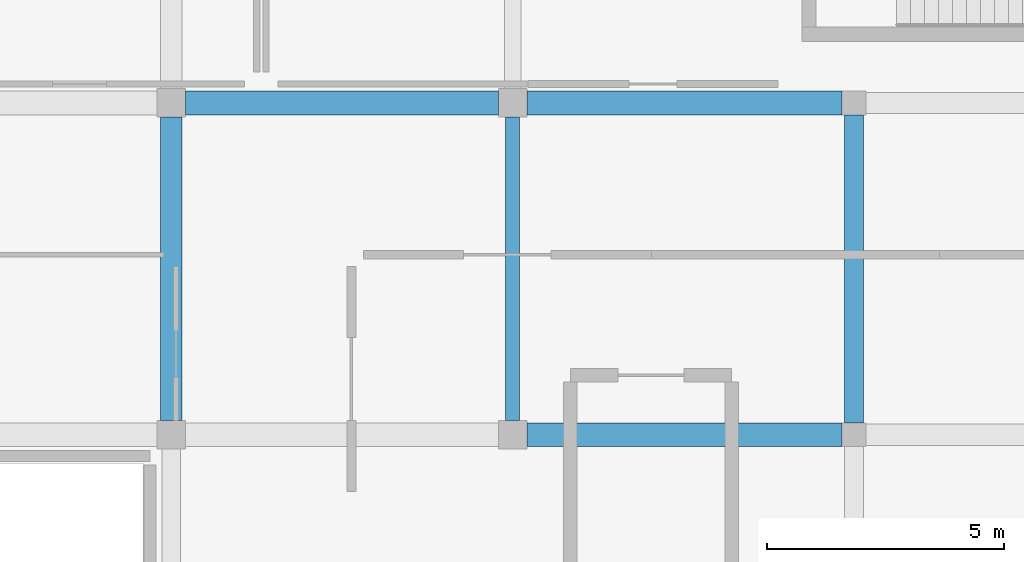
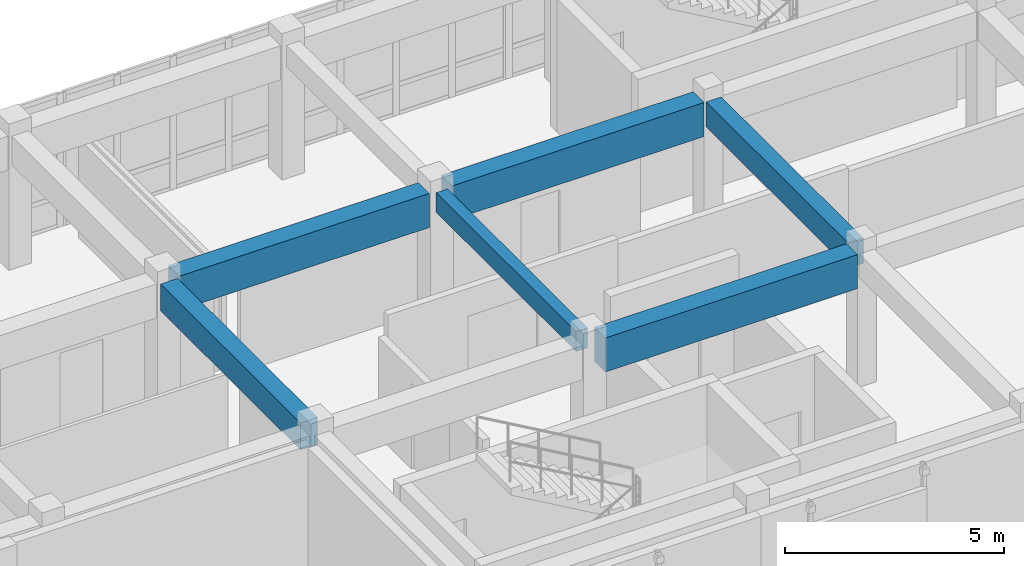
# One storey, part 19 of 91: 6 beams.
"""IFC4 building model written with IfcOpenShell, lengths in metres."""

from ifc_helpers import new_model, si_unit, direction, frame, origin, origin_2d, place, context, subcontext, project, spatial, rectangle, extrude, material, material_profile, profile_set, type_object, element, save


model = new_model("IFC4")

# Units and contexts
model_context = context("Model", 3, precision=1e-05, world=origin(), true_north=direction((0.0, 1.0)))
body_context = subcontext(model_context, "Body", "Model", "MODEL_VIEW")
ifc_project = project(units=[si_unit("LENGTHUNIT", "METRE"), si_unit("AREAUNIT", "SQUARE_METRE"), si_unit("VOLUMEUNIT", "CUBIC_METRE"), si_unit("PLANEANGLEUNIT", "RADIAN"), si_unit("MASSUNIT", "GRAM", prefix="KILO")], contexts=[model_context])

# Site, building, storey
site_placement = place(None, origin())
site = spatial("IfcSite", under=ifc_project, at=site_placement, CompositionType="ELEMENT")
building_placement = place(site_placement, origin())
building = spatial("IfcBuilding", under=site, at=building_placement, Name="Valcora Specialist Clinic", CompositionType="ELEMENT")
storey_placement = place(building_placement, frame((0.0, 0.0, 13.60009765625)))
storey = spatial("IfcBuildingStorey", under=building, at=storey_placement, Name="L03", CompositionType="ELEMENT", Elevation=13.60009765625)

# Beams
ifc_material = material(Name="Concrete C40/50", Category="concrete")
ifc_material_profile_1 = material_profile(ifc_material, rectangle(XDim=0.300048828125, YDim=0.550048828125, at=origin_2d()), Name="RC-BM-300X550")
ifc_profile_set_1 = profile_set([ifc_material_profile_1], Name="Concrete C40/50")
beam_type_1 = type_object("IfcBeamType", Name="TY-BM-RC300X550", PredefinedType="BEAM", material=ifc_profile_set_1)
beam_1_placement = place(storey_placement, frame((23.39990234375, 8.5, 3.44482421875), z_axis=(0.0, 1.0, 0.0), x_axis=(-1.0, 0.0, 0.0)))
element("IfcBeam", 1, at=beam_1_placement, inside=storey, type_object=beam_type_1, Name="Beam BM-L03-1061", PredefinedType="BEAM", context=body_context, shape_type="SweptSolid", body=[
    extrude(rectangle(XDim=0.300048828125, YDim=0.550048828125, at=origin_2d()), origin(), (0.0, 0.0, 1.0), 6.39990234375),
])
ifc_material_profile_2 = material_profile(ifc_material, rectangle(XDim=0.39990234375, YDim=0.699951171875, at=origin_2d()), Name="RC-BM-400X700")
ifc_profile_set_2 = profile_set([ifc_material_profile_2], Name="Concrete C40/50")
beam_type_2 = type_object("IfcBeamType", Name="TY-BM-RC400X700", PredefinedType="BEAM", material=ifc_profile_set_2)
beam_2_placement = place(storey_placement, frame((30.60009765625, 8.449951171875, 3.369873046875), z_axis=(0.0, 1.0, 0.0), x_axis=(-1.0, 0.0, 0.0)))
element("IfcBeam", 2, at=beam_2_placement, inside=storey, type_object=beam_type_2, Name="Beam BM-L03-1064", PredefinedType="BEAM", context=body_context, shape_type="SweptSolid", body=[
    extrude(rectangle(XDim=0.39990234375, YDim=0.699951171875, at=origin_2d()), origin(), (0.0, 0.0, 1.0), 6.5),
])
ifc_material_profile_3 = material_profile(ifc_material, rectangle(XDim=0.449951171875, YDim=0.75, at=origin_2d()), Name="RC-BM-450X750")
ifc_profile_set_3 = profile_set([ifc_material_profile_3], Name="Concrete C40/50")
beam_type_3 = type_object("IfcBeamType", Name="TY-BM-RC450X750", PredefinedType="BEAM", material=ifc_profile_set_3)
beam_3_placement = place(storey_placement, frame((16.199951171875, 8.5, 3.344970703125), z_axis=(0.0, 1.0, 0.0), x_axis=(-1.0, 0.0, 0.0)))
element("IfcBeam", 3, at=beam_3_placement, inside=storey, type_object=beam_type_3, Name="Beam BM-L03-1059", PredefinedType="BEAM", context=body_context, shape_type="SweptSolid", body=[
    extrude(rectangle(XDim=0.449951171875, YDim=0.75, at=origin_2d()), origin(), (0.0, 0.0, 1.0), 6.39990234375),
])
ifc_material_profile_4 = material_profile(ifc_material, rectangle(XDim=0.5, YDim=0.949951171875, at=origin_2d()), Name="RC-BM-500X950")
ifc_profile_set_4 = profile_set([ifc_material_profile_4], Name="Concrete C40/50")
beam_type_4 = type_object("IfcBeamType", Name="TY-BM-TR500X950", PredefinedType="BEAM", material=ifc_profile_set_4)
beam_4_placement = place(storey_placement, frame((23.699951171875, 8.199951171875, 3.244873046875), z_axis=(1.0, 0.0, 0.0), x_axis=(0.0, 1.0, 0.0)))
element("IfcBeam", 4, at=beam_4_placement, inside=storey, type_object=beam_type_4, Name="Beam BM-L03-1036", PredefinedType="BEAM", context=body_context, shape_type="SweptSolid", body=[
    extrude(rectangle(XDim=0.5, YDim=0.949951171875, at=origin_2d()), origin(), (0.0, 0.0, 1.0), 6.650146484375),
])
beam_5_placement = place(storey_placement, frame((16.5, 15.199951171875, 3.244873046875), z_axis=(1.0, 0.0, 0.0), x_axis=(0.0, 1.0, 0.0)))
element("IfcBeam", 5, at=beam_5_placement, inside=storey, type_object=beam_type_4, Name="Beam BM-L03-1042", PredefinedType="BEAM", context=body_context, shape_type="SweptSolid", body=[
    extrude(rectangle(XDim=0.5, YDim=0.949951171875, at=origin_2d()), origin(), (0.0, 0.0, 1.0), 6.60009765625),
])
beam_6_placement = place(storey_placement, frame((23.699951171875, 15.199951171875, 3.244873046875), z_axis=(1.0, 0.0, 0.0), x_axis=(0.0, 1.0, 0.0)))
element("IfcBeam", 6, at=beam_6_placement, inside=storey, type_object=beam_type_4, Name="Beam BM-L03-1043", PredefinedType="BEAM", context=body_context, shape_type="SweptSolid", body=[
    extrude(rectangle(XDim=0.5, YDim=0.949951171875, at=origin_2d()), origin(), (0.0, 0.0, 1.0), 6.650146484375),
])

save(model, "model.ifc")
